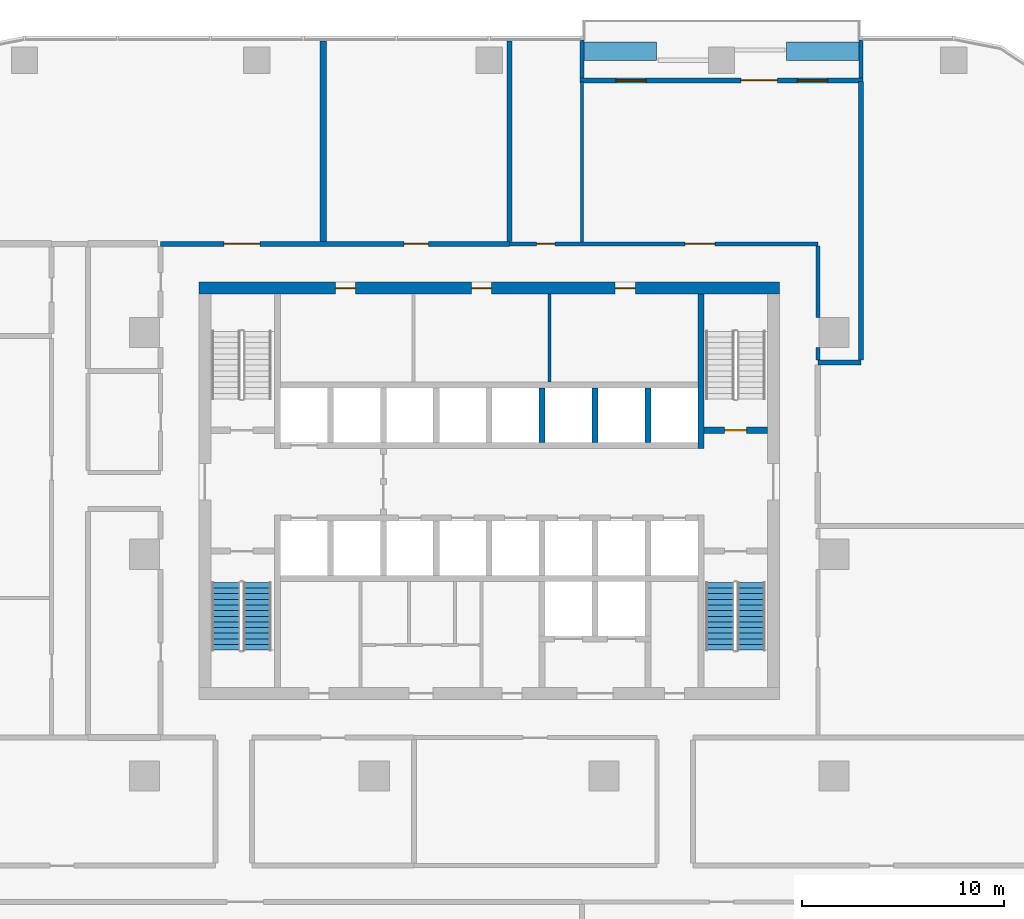
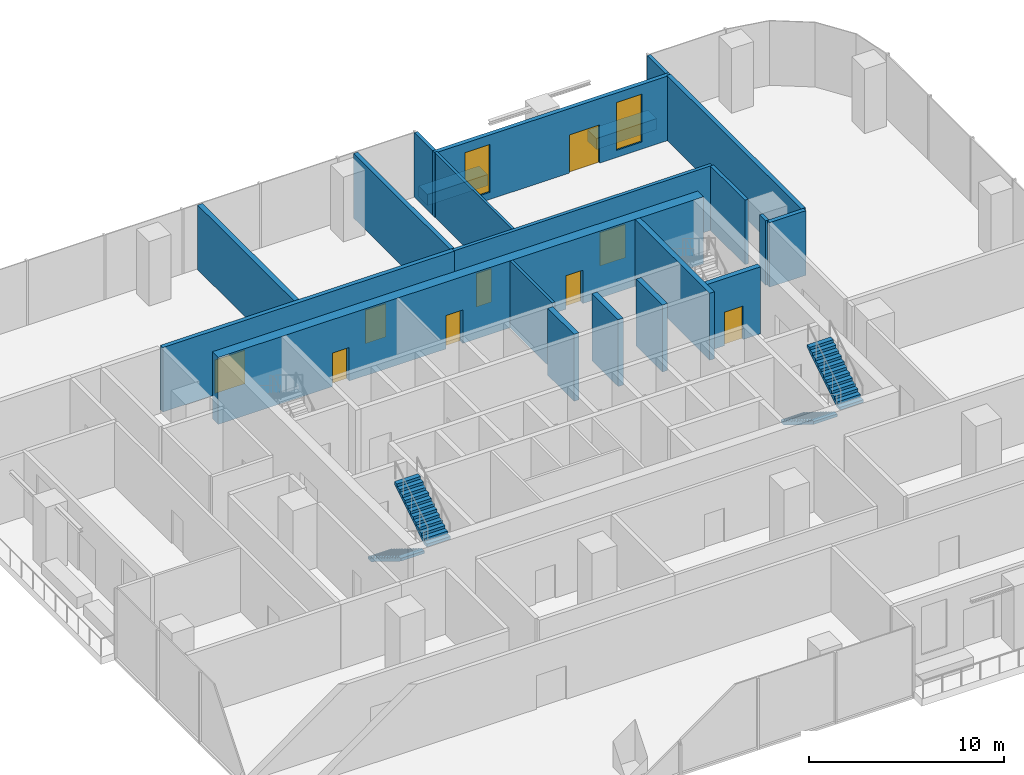
# One storey, part 10 of 15: 21 walls, 9 doors, 4 stair flights, 2 windows, 11 openings, 2 elements without a shape of their own.
"""IFC4 building model written with IfcOpenShell, lengths in metres."""

from ifc_helpers import new_model, si_unit, direction, frame, frame_2d, origin, place, context, subcontext, project, spatial, polyline, rectangle, outline, extrude, material, layer, layer_set, type_object, element, fill, aggregate, save


model = new_model("IFC4")

# Units and contexts
model_context = context("Model", 3, precision=1e-05, world=origin(), true_north=direction((0.0, 1.0)))
body_context = subcontext(model_context, "Body", "Model", "MODEL_VIEW")
ifc_project = project(units=[si_unit("LENGTHUNIT", "METRE"), si_unit("AREAUNIT", "SQUARE_METRE"), si_unit("VOLUMEUNIT", "CUBIC_METRE"), si_unit("PLANEANGLEUNIT", "RADIAN"), si_unit("MASSUNIT", "GRAM", prefix="KILO")], contexts=[model_context])

# Site, building, storey
site_placement = place(None, origin())
site = spatial("IfcSite", under=ifc_project, at=site_placement, CompositionType="ELEMENT")
building_placement = place(site_placement, origin())
building = spatial("IfcBuilding", under=site, at=building_placement, Name="Mopane Tessera Tower", CompositionType="ELEMENT")
storey_placement = place(building_placement, frame((0.0, 0.0, 99.10009765625)))
storey = spatial("IfcBuildingStorey", under=building, at=storey_placement, Name="L19", CompositionType="ELEMENT", Elevation=99.10009765625)

# Wall
ifc_material_1 = material(Name="Fire-rated gypsum board partition")
ifc_layer_1 = layer(ifc_material_1, 0.14990234375)
ifc_layer_set_1 = layer_set([ifc_layer_1], Name="Fire-rated gypsum board partition")
wall_type_1 = type_object("IfcWallType", Name="Core room partition 150 mm", PredefinedType="PARTITIONING", material=ifc_layer_set_1)
wall_1_placement = place(storey_placement, frame((3.0, 8.550048828125, 0.0), z_axis=(0.0, 0.0, 1.0), x_axis=(0.0, 1.0, 0.0)))
element("IfcWall", 1, at=wall_1_placement, inside=storey, type_object=wall_type_1, Name="L19 Room partition", PredefinedType="PARTITIONING", context=body_context, shape_type="SweptSolid", body=[
    extrude(rectangle(XDim=4.349853515625, YDim=0.14990234375, at=frame_2d((2.1748046875, 0.0))), origin(), (0.0, 0.0, 1.0), 4.199951171875),
])

# Wall, openings, doors
ifc_material_2 = material(Name="Concrete C70/85", Category="concrete")
ifc_layer_2 = layer(ifc_material_2, 0.60009765625)
ifc_layer_set_2 = layer_set([ifc_layer_2], Name="Concrete C70/85")
wall_type_2 = type_object("IfcWallType", Name="Core shear wall 600 mm", PredefinedType="SHEAR", material=ifc_layer_set_2)
wall_2_placement = place(storey_placement, frame((-14.39990234375, 13.199951171875, 0.0), z_axis=(0.0, 0.0, 1.0), x_axis=(1.0, 0.0, 0.0)))
wall_2 = element("IfcWall", 2, at=wall_2_placement, inside=storey, type_object=wall_type_2, Name="L19 Core wall north", PredefinedType="SHEAR", context=body_context, shape_type="SweptSolid", body=[
    extrude(rectangle(XDim=28.7998046875, YDim=0.60009765625, at=frame_2d((14.39990234375, 0.0))), origin(), (0.0, 0.0, 1.0), 4.199951171875),
])
opening_1_placement = place(wall_2_placement, frame((6.77490234375, 0.0, 0.0)))
opening_1 = element("IfcOpeningElement", 3, at=opening_1_placement, cuts=wall_2, Name="Opening RD1", PredefinedType="OPENING", context=body_context, shape_type="SweptSolid", body=[
    extrude(rectangle(XDim=1.0, YDim=2.10009765625, at=frame_2d((0.5, 1.050048828125))), frame((0.0, 0.31201171875, 0.0), z_axis=(0.0, -1.0, 0.0), x_axis=(1.0, 0.0, 0.0)), (0.0, 0.0, 1.0), 0.6240234375),
])
opening_2_placement = place(wall_2_placement, frame((13.52490234375, 0.0, 0.0)))
opening_2 = element("IfcOpeningElement", 4, at=opening_2_placement, cuts=wall_2, Name="Opening RD1", PredefinedType="OPENING", context=body_context, shape_type="SweptSolid", body=[
    extrude(rectangle(XDim=1.0, YDim=2.10009765625, at=frame_2d((0.5, 1.050048828125))), frame((0.0, 0.31201171875, 0.0), z_axis=(0.0, -1.0, 0.0), x_axis=(1.0, 0.0, 0.0)), (0.0, 0.0, 1.0), 0.6240234375),
])
opening_3_placement = place(wall_2_placement, frame((20.64990234375, 0.0, 0.0)))
opening_3 = element("IfcOpeningElement", 5, at=opening_3_placement, cuts=wall_2, Name="Opening RD1", PredefinedType="OPENING", context=body_context, shape_type="SweptSolid", body=[
    extrude(rectangle(XDim=1.0, YDim=2.10009765625, at=frame_2d((0.5, 1.050048828125))), frame((0.0, 0.31201171875, 0.0), z_axis=(0.0, -1.0, 0.0), x_axis=(1.0, 0.0, 0.0)), (0.0, 0.0, 1.0), 0.6240234375),
])
ifc_material_3 = material(Name="Timber door", Category="wood")
door_type_1 = type_object("IfcDoorType", Name="Core room door 1000 x 2100", OperationType="SINGLE_SWING_LEFT", PredefinedType="DOOR", material=ifc_material_3)
door_1_placement = place(opening_1_placement, origin())
door_1 = element("IfcDoor", 6, at=door_1_placement, inside=storey, type_object=door_type_1, Name="L19 Room door", OperationType="SINGLE_SWING_LEFT", OverallHeight=2.10009765625, OverallWidth=1.0, PredefinedType="DOOR", context=body_context, shape_type="SweptSolid", body=[
    extrude(rectangle(XDim=1.0, YDim=2.10009765625, at=frame_2d((0.5, 1.050048828125))), frame((0.0, 0.02490234375, 0.0), z_axis=(0.0, -1.0, 0.0), x_axis=(1.0, 0.0, 0.0)), (0.0, 0.0, 1.0), 0.050048828125),
])
fill(opening_1, door_1)
door_2_placement = place(opening_2_placement, origin())
door_2 = element("IfcDoor", 7, at=door_2_placement, inside=storey, type_object=door_type_1, Name="L19 Room door", OperationType="SINGLE_SWING_LEFT", OverallHeight=2.10009765625, OverallWidth=1.0, PredefinedType="DOOR", context=body_context, shape_type="SweptSolid", body=[
    extrude(rectangle(XDim=1.0, YDim=2.10009765625, at=frame_2d((0.5, 1.050048828125))), frame((0.0, 0.02490234375, 0.0), z_axis=(0.0, -1.0, 0.0), x_axis=(1.0, 0.0, 0.0)), (0.0, 0.0, 1.0), 0.050048828125),
])
fill(opening_2, door_2)
door_3_placement = place(opening_3_placement, origin())
door_3 = element("IfcDoor", 8, at=door_3_placement, inside=storey, type_object=door_type_1, Name="L19 Room door", OperationType="SINGLE_SWING_LEFT", OverallHeight=2.10009765625, OverallWidth=1.0, PredefinedType="DOOR", context=body_context, shape_type="SweptSolid", body=[
    extrude(rectangle(XDim=1.0, YDim=2.10009765625, at=frame_2d((0.5, 1.050048828125))), frame((0.0, 0.02490234375, 0.0), z_axis=(0.0, -1.0, 0.0), x_axis=(1.0, 0.0, 0.0)), (0.0, 0.0, 1.0), 0.050048828125),
])
fill(opening_3, door_3)

# Wall
ifc_material_4 = material(Name="Concrete C60/75", Category="concrete")
ifc_layer_3 = layer(ifc_material_4, 0.300048828125)
ifc_layer_set_3 = layer_set([ifc_layer_3], Name="Concrete C60/75")
wall_type_3 = type_object("IfcWallType", Name="Core spine wall 300 mm", PredefinedType="SHEAR", material=ifc_layer_set_3)
wall_3_placement = place(storey_placement, frame((10.5, 5.25, 0.0), z_axis=(0.0, 0.0, 1.0), x_axis=(0.0, 1.0, 0.0)))
element("IfcWall", 9, at=wall_3_placement, inside=storey, type_object=wall_type_3, Name="L19 Core spine wall", PredefinedType="SHEAR", context=body_context, shape_type="SweptSolid", body=[
    extrude(rectangle(XDim=7.64990234375, YDim=0.300048828125, at=frame_2d((3.824951171875, 0.0))), origin(), (0.0, 0.0, 1.0), 4.199951171875),
])

# Wall, openings, doors
ifc_material_5 = material(Name="Gypsum board on steel studs, two layers each face, mineral wool infill", Category="steel")
ifc_layer_4 = layer(ifc_material_5, 0.199951171875)
ifc_layer_set_4 = layer_set([ifc_layer_4], Name="Gypsum board on steel studs, two layers each face, mineral wool infill")
wall_type_4 = type_object("IfcWallType", Name="Gypsum board corridor wall 200, rated EI 60", PredefinedType="PARTITIONING", material=ifc_layer_set_4)
wall_4_placement = place(storey_placement, frame((1.0, 15.39990234375, 0.0), z_axis=(0.0, 0.0, 1.0), x_axis=(1.0, 0.0, 0.0)))
wall_4 = element("IfcWall", 10, at=wall_4_placement, inside=storey, type_object=wall_type_4, Name="Partition L19:019", PredefinedType="PARTITIONING", context=body_context, shape_type="SweptSolid", body=[
    extrude(rectangle(XDim=15.300048828125, YDim=0.199951171875, at=frame_2d((7.64990234375, 0.0))), origin(), (0.0, 0.0, 1.0), 4.0498046875),
])
opening_4_placement = place(wall_4_placement, frame((1.35498046875, 0.0, 0.0)))
opening_4 = element("IfcOpeningElement", 11, at=opening_4_placement, cuts=wall_4, Name="Opening L19-12", PredefinedType="OPENING", context=body_context, shape_type="SweptSolid", body=[
    extrude(rectangle(XDim=0.89990234375, YDim=2.10009765625, at=frame_2d((0.449951171875, 1.050048828125))), frame((0.0, 0.112060546875, 0.0), z_axis=(0.0, -1.0, 0.0), x_axis=(1.0, 0.0, 0.0)), (0.0, 0.0, 1.0), 0.223876953125),
])
opening_5_placement = place(wall_4_placement, frame((8.705078125, 0.0, 0.0)))
opening_5 = element("IfcOpeningElement", 12, at=opening_5_placement, cuts=wall_4, Name="Opening L19-17", PredefinedType="OPENING", context=body_context, shape_type="SweptSolid", body=[
    extrude(rectangle(XDim=1.5, YDim=2.10009765625, at=frame_2d((0.75, 1.050048828125))), frame((0.0, 0.112060546875, 0.0), z_axis=(0.0, -1.0, 0.0), x_axis=(1.0, 0.0, 0.0)), (0.0, 0.0, 1.0), 0.223876953125),
])
ifc_material_6 = material(Name="Timber veneered steel-framed fire door", Category="steel")
door_type_2 = type_object("IfcDoorType", Name="Fire door FD60 900 x 2100", OperationType="SINGLE_SWING_LEFT", PredefinedType="DOOR", material=ifc_material_6)
door_4_placement = place(opening_4_placement, origin())
door_4 = element("IfcDoor", 13, at=door_4_placement, inside=storey, type_object=door_type_2, Name="Door L19-12", ObjectType="D10A", OperationType="SINGLE_SWING_LEFT", OverallHeight=2.10009765625, OverallWidth=0.89990234375, PredefinedType="DOOR", context=body_context, shape_type="SweptSolid", body=[
    extrude(rectangle(XDim=0.89990234375, YDim=2.10009765625, at=frame_2d((0.449951171875, 1.050048828125))), frame((0.0, 0.02490234375, 0.0), z_axis=(0.0, -1.0, 0.0), x_axis=(1.0, 0.0, 0.0)), (0.0, 0.0, 1.0), 0.050048828125),
])
fill(opening_4, door_4)
ifc_material_7 = material(Name="Timber veneered steel-framed fire door", Category="steel")
door_type_3 = type_object("IfcDoorType", Name="Fire door pair FD60 1500 x 2100", OperationType="DOUBLE_DOOR_SINGLE_SWING", PredefinedType="DOOR", material=ifc_material_7)
door_5_placement = place(opening_5_placement, origin())
door_5 = element("IfcDoor", 14, at=door_5_placement, inside=storey, type_object=door_type_3, Name="Door L19-17", ObjectType="D17A", OperationType="DOUBLE_DOOR_SINGLE_SWING", OverallHeight=2.10009765625, OverallWidth=1.5, PredefinedType="DOOR", context=body_context, shape_type="SweptSolid", body=[
    extrude(rectangle(XDim=1.5, YDim=2.10009765625, at=frame_2d((0.75, 1.050048828125))), frame((0.0, 0.02490234375, 0.0), z_axis=(0.0, -1.0, 0.0), x_axis=(1.0, 0.0, 0.0)), (0.0, 0.0, 1.0), 0.050048828125),
])
fill(opening_5, door_5)

# Walls
wall_5_placement = place(storey_placement, frame((16.300048828125, 9.625, 0.0), z_axis=(0.0, 0.0, 1.0), x_axis=(0.0, 1.0, 0.0)))
element("IfcWall", 15, at=wall_5_placement, inside=storey, type_object=wall_type_4, Name="Partition L19:045", PredefinedType="PARTITIONING", context=body_context, shape_type="SweptSolid", body=[
    extrude(rectangle(XDim=0.625, YDim=0.199951171875, at=frame_2d((0.3125, 0.0))), origin(), (0.0, 0.0, 1.0), 4.0498046875),
])
wall_6_placement = place(storey_placement, frame((16.300048828125, 11.75, 0.0), z_axis=(0.0, 0.0, 1.0), x_axis=(0.0, 1.0, 0.0)))
element("IfcWall", 16, at=wall_6_placement, inside=storey, type_object=wall_type_4, Name="Partition L19:046", PredefinedType="PARTITIONING", context=body_context, shape_type="SweptSolid", body=[
    extrude(rectangle(XDim=3.550048828125, YDim=0.199951171875, at=frame_2d((1.77490234375, 0.0))), origin(), (0.0, 0.0, 1.0), 4.0498046875),
])
ifc_material_8 = material(Name="Gypsum board on steel studs, mineral wool infill", Category="steel")
ifc_layer_5 = layer(ifc_material_8, 0.14990234375)
ifc_layer_set_5 = layer_set([ifc_layer_5], Name="Gypsum board on steel studs, mineral wool infill")
wall_type_5 = type_object("IfcWallType", Name="Gypsum board partition 150, rated EI 60", PredefinedType="PARTITIONING", material=ifc_layer_set_5)
wall_7_placement = place(storey_placement, frame((4.610107421875, 15.5, 0.0), z_axis=(0.0, 0.0, 1.0), x_axis=(0.0, 1.0, 0.0)))
element("IfcWall", 17, at=wall_7_placement, inside=storey, type_object=wall_type_5, Name="Partition L19:039", PredefinedType="PARTITIONING", context=body_context, shape_type="SweptSolid", body=[
    extrude(rectangle(XDim=7.949951171875, YDim=0.14990234375, at=frame_2d((3.97509765625, 0.0))), origin(), (0.0, 0.0, 1.0), 4.0498046875),
])

# Wall, opening, door
ifc_material_9 = material(Name="Concrete C50/60", Category="concrete")
ifc_layer_6 = layer(ifc_material_9, 0.300048828125)
ifc_layer_set_6 = layer_set([ifc_layer_6], Name="Concrete C50/60")
wall_type_6 = type_object("IfcWallType", Name="Lift and stair shaft wall 300 mm", PredefinedType="SOLIDWALL", material=ifc_layer_set_6)
wall_8_placement = place(storey_placement, frame((10.64990234375, 6.14990234375, 0.0), z_axis=(0.0, 0.0, 1.0), x_axis=(1.0, 0.0, 0.0)))
wall_8 = element("IfcWall", 18, at=wall_8_placement, inside=storey, type_object=wall_type_6, Name="L19 Stair enclosure wall", PredefinedType="SOLIDWALL", context=body_context, shape_type="SweptSolid", body=[
    extrude(rectangle(XDim=3.150146484375, YDim=0.300048828125, at=frame_2d((1.5751953125, 0.0))), origin(), (0.0, 0.0, 1.0), 4.199951171875),
])
opening_6_placement = place(wall_8_placement, frame((1.02490234375, 0.0, 0.0)))
opening_6 = element("IfcOpeningElement", 19, at=opening_6_placement, cuts=wall_8, Name="Opening SD1", PredefinedType="OPENING", context=body_context, shape_type="SweptSolid", body=[
    extrude(rectangle(XDim=1.10009765625, YDim=2.10009765625, at=frame_2d((0.550048828125, 1.050048828125))), frame((0.0, 0.162109375, 0.0), z_axis=(0.0, -1.0, 0.0), x_axis=(1.0, 0.0, 0.0)), (0.0, 0.0, 1.0), 0.323974609375),
])
ifc_material_10 = material(Name="Steel fire door", Category="steel")
door_type_4 = type_object("IfcDoorType", Name="Stair fire door 1100 x 2100", OperationType="SINGLE_SWING_LEFT", PredefinedType="DOOR", material=ifc_material_10)
door_6_placement = place(opening_6_placement, origin())
door_6 = element("IfcDoor", 20, at=door_6_placement, inside=storey, type_object=door_type_4, Name="L19 Stair door ST4", OperationType="SINGLE_SWING_RIGHT", OverallHeight=2.10009765625, OverallWidth=1.10009765625, PredefinedType="DOOR", context=body_context, shape_type="SweptSolid", body=[
    extrude(rectangle(XDim=1.10009765625, YDim=2.10009765625, at=frame_2d((0.550048828125, 1.050048828125))), frame((0.0, 0.02490234375, 0.0), z_axis=(0.0, -1.0, 0.0), x_axis=(1.0, 0.0, 0.0)), (0.0, 0.0, 1.0), 0.050048828125),
])
fill(opening_6, door_6)

# Walls
for number, where, z_axis, x_axis, name in (
    (21, (2.625, 5.550048828125, 0.0), (0.0, 0.0, 1.0), (0.0, 1.0, 0.0), "L19 Lift shaft wall"),
    (22, (5.25, 5.550048828125, 0.0), (0.0, 0.0, 1.0), (0.0, 1.0, 0.0), "L19 Lift shaft wall"),
    (23, (7.875, 5.550048828125, 0.0), (0.0, 0.0, 1.0), (0.0, 1.0, 0.0), "L19 Lift shaft wall"),
):
    element("IfcWall", number, at=place(storey_placement, frame(where, z_axis=z_axis, x_axis=x_axis)), inside=storey, type_object=wall_type_6, Name=name, PredefinedType="SOLIDWALL", context=body_context, shape_type="SweptSolid", body=[
        extrude(rectangle(XDim=2.699951171875, YDim=0.300048828125, at=frame_2d((1.35009765625, 0.0))), origin(), (0.0, 0.0, 1.0), 4.199951171875),
    ])
ifc_material_11 = material(Name="Reinforced concrete C32/40 with waterproofing", Category="concrete")
ifc_layer_7 = layer(ifc_material_11, 0.89990234375)
ifc_layer_set_7 = layer_set([ifc_layer_7], Name="Reinforced concrete C32/40 with waterproofing")
wall_type_7 = type_object("IfcWallType", Name="Planter trough 3600 x 900", PredefinedType="STANDARD", material=ifc_layer_set_7)
for number, where, z_axis, x_axis, name in (
    (24, (18.340087890625, 24.949951171875, 0.0), (0.0, 0.0, 1.0), (-1.0, 0.0, 0.0), "e:nw:L19:N1:pl0"),
    (25, (8.31005859375, 24.949951171875, 0.0), (0.0, 0.0, 1.0), (-1.0, 0.0, 0.0), "e:nw:L19:N1:pl1"),
):
    element("IfcWall", number, at=place(storey_placement, frame(where, z_axis=z_axis, x_axis=x_axis)), inside=storey, type_object=wall_type_7, Name=name, PredefinedType="STANDARD", context=body_context, shape_type="SweptSolid", body=[
        extrude(rectangle(XDim=3.60009765625, YDim=0.89990234375, at=frame_2d((1.800048828125, 0.0))), origin(), (0.0, 0.0, 1.0), 0.699951171875),
    ])
ifc_material_12 = material(Name="Plastered concrete blockwork C20/25", Category="masonry")
ifc_layer_8 = layer(ifc_material_12, 0.300048828125)
ifc_layer_set_8 = layer_set([ifc_layer_8], Name="Plastered concrete blockwork C20/25")
wall_type_8 = type_object("IfcWallType", Name="Plastered blockwork separation wall 300, rated EI 120", PredefinedType="PARTITIONING", material=ifc_layer_set_8)
wall_9_placement = place(storey_placement, frame((-8.22998046875, 15.52490234375, 0.0), z_axis=(0.0, 0.0, 1.0), x_axis=(0.0, 1.0, 0.0)))
element("IfcWall", 26, at=wall_9_placement, inside=storey, type_object=wall_type_8, Name="Partition L19:036", PredefinedType="PARTITIONING", context=body_context, shape_type="SweptSolid", body=[
    extrude(rectangle(XDim=9.925048828125, YDim=0.300048828125, at=frame_2d((4.96240234375, 0.0))), origin(), (0.0, 0.0, 1.0), 4.0498046875),
])
ifc_material_13 = material(Name="Plastered concrete blockwork C20/25", Category="masonry")
ifc_layer_9 = layer(ifc_material_13, 0.25)
ifc_layer_set_9 = layer_set([ifc_layer_9], Name="Plastered concrete blockwork C20/25")
wall_type_9 = type_object("IfcWallType", Name="Plastered blockwork wall 250, rated EI 120", PredefinedType="PARTITIONING", material=ifc_layer_set_9)
wall_10_placement = place(storey_placement, frame((16.300048828125, 9.5, 0.0), z_axis=(0.0, 0.0, 1.0), x_axis=(1.0, 0.0, 0.0)))
element("IfcWall", 27, at=wall_10_placement, inside=storey, type_object=wall_type_9, Name="Partition L19:017", PredefinedType="PARTITIONING", context=body_context, shape_type="SweptSolid", body=[
    extrude(rectangle(XDim=2.139892578125, YDim=0.25, at=frame_2d((1.06982421875, 0.0))), origin(), (0.0, 0.0, 1.0), 4.0498046875),
])

# Wall, openings, doors
wall_11_placement = place(storey_placement, frame((-16.300048828125, 15.39990234375, 0.0), z_axis=(0.0, 0.0, 1.0), x_axis=(1.0, 0.0, 0.0)))
wall_11 = element("IfcWall", 28, at=wall_11_placement, inside=storey, type_object=wall_type_9, Name="Partition L19:021", PredefinedType="PARTITIONING", context=body_context, shape_type="SweptSolid", body=[
    extrude(rectangle(XDim=17.300048828125, YDim=0.25, at=frame_2d((8.64990234375, 0.0))), origin(), (0.0, 0.0, 1.0), 4.0498046875),
])
opening_7_placement = place(wall_11_placement, frame((12.0849609375, 0.0, 0.0)))
opening_7 = element("IfcOpeningElement", 29, at=opening_7_placement, cuts=wall_11, Name="Opening L19-05", PredefinedType="OPENING", context=body_context, shape_type="SweptSolid", body=[
    extrude(rectangle(XDim=1.199951171875, YDim=2.10009765625, at=frame_2d((0.60009765625, 1.050048828125))), frame((0.0, 0.136962890625, 0.0), z_axis=(0.0, -1.0, 0.0), x_axis=(1.0, 0.0, 0.0)), (0.0, 0.0, 1.0), 0.27392578125),
])
opening_8_placement = place(wall_11_placement, frame((3.135009765625, 0.0, 0.0)))
opening_8 = element("IfcOpeningElement", 30, at=opening_8_placement, cuts=wall_11, Name="Opening L19-10", PredefinedType="OPENING", context=body_context, shape_type="SweptSolid", body=[
    extrude(rectangle(XDim=1.800048828125, YDim=2.10009765625, at=frame_2d((0.89990234375, 1.050048828125))), frame((0.0, 0.136962890625, 0.0), z_axis=(0.0, -1.0, 0.0), x_axis=(1.0, 0.0, 0.0)), (0.0, 0.0, 1.0), 0.27392578125),
])
ifc_material_14 = material(Name="Timber veneered steel-framed fire door", Category="steel")
door_type_5 = type_object("IfcDoorType", Name="Fire door FD120 1200 x 2100", OperationType="SINGLE_SWING_LEFT", PredefinedType="DOOR", material=ifc_material_14)
door_7_placement = place(opening_7_placement, origin())
door_7 = element("IfcDoor", 31, at=door_7_placement, inside=storey, type_object=door_type_5, Name="Door L19-05", ObjectType="D15B", OperationType="SINGLE_SWING_LEFT", OverallHeight=2.10009765625, OverallWidth=1.199951171875, PredefinedType="DOOR", context=body_context, shape_type="SweptSolid", body=[
    extrude(rectangle(XDim=1.199951171875, YDim=2.10009765625, at=frame_2d((0.60009765625, 1.050048828125))), frame((0.0, 0.02490234375, 0.0), z_axis=(0.0, -1.0, 0.0), x_axis=(1.0, 0.0, 0.0)), (0.0, 0.0, 1.0), 0.050048828125),
])
fill(opening_7, door_7)
ifc_material_15 = material(Name="Timber veneered steel-framed fire door", Category="steel")
door_type_6 = type_object("IfcDoorType", Name="Fire door pair FD120 1800 x 2100", OperationType="DOUBLE_DOOR_SINGLE_SWING", PredefinedType="DOOR", material=ifc_material_15)
door_8_placement = place(opening_8_placement, origin())
door_8 = element("IfcDoor", 32, at=door_8_placement, inside=storey, type_object=door_type_6, Name="Door L19-10", ObjectType="D20B", OperationType="DOUBLE_DOOR_SINGLE_SWING", OverallHeight=2.10009765625, OverallWidth=1.800048828125, PredefinedType="DOOR", context=body_context, shape_type="SweptSolid", body=[
    extrude(rectangle(XDim=1.800048828125, YDim=2.10009765625, at=frame_2d((0.89990234375, 1.050048828125))), frame((0.0, 0.02490234375, 0.0), z_axis=(0.0, -1.0, 0.0), x_axis=(1.0, 0.0, 0.0)), (0.0, 0.0, 1.0), 0.050048828125),
])
fill(opening_8, door_8)

# Walls
wall_12_placement = place(storey_placement, frame((1.0, 15.52490234375, 0.0), z_axis=(0.0, 0.0, 1.0), x_axis=(0.0, 1.0, 0.0)))
element("IfcWall", 33, at=wall_12_placement, inside=storey, type_object=wall_type_9, Name="Partition L19:038", PredefinedType="PARTITIONING", context=body_context, shape_type="SweptSolid", body=[
    extrude(rectangle(XDim=9.925048828125, YDim=0.25, at=frame_2d((4.96240234375, 0.0))), origin(), (0.0, 0.0, 1.0), 4.0498046875),
])
wall_13_placement = place(storey_placement, frame((18.43994140625, 9.625, 0.0), z_axis=(0.0, 0.0, 1.0), x_axis=(0.0, 1.0, 0.0)))
element("IfcWall", 34, at=wall_13_placement, inside=storey, type_object=wall_type_9, Name="Partition L19:049", PredefinedType="PARTITIONING", context=body_context, shape_type="SweptSolid", body=[
    extrude(rectangle(XDim=13.824951171875, YDim=0.25, at=frame_2d((6.91259765625, 0.0))), origin(), (0.0, 0.0, 1.0), 4.0498046875),
])
ifc_material_16 = material(Name="Blockwork with glazed tile facing", Category="masonry")
ifc_layer_10 = layer(ifc_material_16, 0.199951171875)
ifc_layer_set_10 = layer_set([ifc_layer_10], Name="Blockwork with glazed tile facing")
wall_type_10 = type_object("IfcWallType", Name="Terrace cheek wall 200", PredefinedType="STANDARD", material=ifc_layer_set_10)
for number, where, z_axis, x_axis, name in (
    (35, (18.43994140625, 25.5, 0.0), (0.0, 0.0, 1.0), (0.0, -1.0, 0.0), "e:nw:L19:N1:cheeka"),
    (36, (4.610107421875, 25.5, 0.0), (0.0, 0.0, 1.0), (0.0, -1.0, 0.0), "e:nw:L19:N1:cheekb"),
):
    element("IfcWall", number, at=place(storey_placement, frame(where, z_axis=z_axis, x_axis=x_axis)), inside=storey, type_object=wall_type_10, Name=name, PredefinedType="STANDARD", context=body_context, shape_type="SweptSolid", body=[
        extrude(rectangle(XDim=1.875, YDim=0.199951171875, at=frame_2d((0.9375, 0.0))), origin(), (0.0, 0.0, 1.0), 4.0498046875),
    ])

# Wall, openings, windows, door
ifc_material_17 = material(Name="Blockwork with turquoise glazed tile facing", Category="masonry")
ifc_layer_11 = layer(ifc_material_17, 0.25)
ifc_layer_set_11 = layer_set([ifc_layer_11], Name="Blockwork with turquoise glazed tile facing")
wall_type_11 = type_object("IfcWallType", Name="Tile-clad external wall 250, turquoise", PredefinedType="STANDARD", material=ifc_layer_set_11)
wall_14_placement = place(storey_placement, frame((18.5400390625, 23.5, 0.0), z_axis=(0.0, 0.0, 1.0), x_axis=(-1.0, 0.0, 0.0)))
wall_14 = element("IfcWall", 37, at=wall_14_placement, inside=storey, type_object=wall_type_11, Name="e:nw:L19:N1:back", PredefinedType="STANDARD", context=body_context, shape_type="SweptSolid", body=[
    extrude(rectangle(XDim=14.030029296875, YDim=0.25, at=frame_2d((7.01513671875, 0.0))), origin(), (0.0, 0.0, 1.0), 4.0498046875),
])
opening_9_placement = place(wall_14_placement, frame((1.75, 0.0, 0.449951171875)))
opening_9 = element("IfcOpeningElement", 38, at=opening_9_placement, cuts=wall_14, Name="Opening NW191A", PredefinedType="OPENING", context=body_context, shape_type="SweptSolid", body=[
    extrude(rectangle(XDim=1.5, YDim=3.0, at=frame_2d((0.75, 1.5))), frame((0.0, 0.136962890625, 0.0), z_axis=(0.0, -1.0, 0.0), x_axis=(1.0, 0.0, 0.0)), (0.0, 0.0, 1.0), 0.27392578125),
])
opening_10_placement = place(wall_14_placement, frame((4.25, 0.0, 0.0)))
opening_10 = element("IfcOpeningElement", 39, at=opening_10_placement, cuts=wall_14, Name="Opening ND191", PredefinedType="OPENING", context=body_context, shape_type="SweptSolid", body=[
    extrude(rectangle(XDim=1.800048828125, YDim=2.39990234375, at=frame_2d((0.89990234375, 1.199951171875))), frame((0.0, 0.136962890625, 0.0), z_axis=(0.0, -1.0, 0.0), x_axis=(1.0, 0.0, 0.0)), (0.0, 0.0, 1.0), 0.27392578125),
])
opening_11_placement = place(wall_14_placement, frame((10.75, 0.0, 0.449951171875)))
opening_11 = element("IfcOpeningElement", 40, at=opening_11_placement, cuts=wall_14, Name="Opening NW191B", PredefinedType="OPENING", context=body_context, shape_type="SweptSolid", body=[
    extrude(rectangle(XDim=1.5, YDim=3.0, at=frame_2d((0.75, 1.5))), frame((0.0, 0.136962890625, 0.0), z_axis=(0.0, -1.0, 0.0), x_axis=(1.0, 0.0, 0.0)), (0.0, 0.0, 1.0), 0.27392578125),
])
ifc_material_18 = material(Name="Clear laminated glass", Category="glass")
window_type = type_object("IfcWindowType", Name="Fixed window 1500 x 3000", PartitioningType="SINGLE_PANEL", PredefinedType="WINDOW", material=ifc_material_18)
window_1_placement = place(opening_9_placement, origin())
window_1 = element("IfcWindow", 41, at=window_1_placement, inside=storey, type_object=window_type, Name="e:nw:L19:N1:win0", OverallHeight=3.0, OverallWidth=1.5, PartitioningType="SINGLE_PANEL", PredefinedType="WINDOW", context=body_context, shape_type="SweptSolid", body=[
    extrude(rectangle(XDim=1.5, YDim=3.0, at=frame_2d((0.75, 1.5))), frame((0.0, 0.030029296875, 0.0), z_axis=(0.0, -1.0, 0.0), x_axis=(1.0, 0.0, 0.0)), (0.0, 0.0, 1.0), 0.06005859375),
])
fill(opening_9, window_1)
window_2_placement = place(opening_11_placement, origin())
window_2 = element("IfcWindow", 42, at=window_2_placement, inside=storey, type_object=window_type, Name="e:nw:L19:N1:win2", OverallHeight=3.0, OverallWidth=1.5, PartitioningType="SINGLE_PANEL", PredefinedType="WINDOW", context=body_context, shape_type="SweptSolid", body=[
    extrude(rectangle(XDim=1.5, YDim=3.0, at=frame_2d((0.75, 1.5))), frame((0.0, 0.030029296875, 0.0), z_axis=(0.0, -1.0, 0.0), x_axis=(1.0, 0.0, 0.0)), (0.0, 0.0, 1.0), 0.06005859375),
])
fill(opening_11, window_2)
ifc_material_19 = material(Name="Aluminium and clear glass", Category="aluminium")
door_type_7 = type_object("IfcDoorType", Name="Terrace double door 1800 x 2400", OperationType="DOUBLE_DOOR_SINGLE_SWING", PredefinedType="DOOR", material=ifc_material_19)
door_9_placement = place(opening_10_placement, origin())
door_9 = element("IfcDoor", 43, at=door_9_placement, inside=storey, type_object=door_type_7, Name="e:nw:L19:N1:door", ObjectType="D1", OperationType="DOUBLE_DOOR_SINGLE_SWING", OverallHeight=2.39990234375, OverallWidth=1.800048828125, PredefinedType="DOOR", context=body_context, shape_type="SweptSolid", body=[
    extrude(rectangle(XDim=1.800048828125, YDim=2.39990234375, at=frame_2d((0.89990234375, 1.199951171875))), frame((0.0, 0.02490234375, 0.0), z_axis=(0.0, -1.0, 0.0), x_axis=(1.0, 0.0, 0.0)), (0.0, 0.0, 1.0), 0.050048828125),
])
fill(opening_10, door_9)

# Stair, stair flights
ifc_material_20 = material(Name="Concrete C50/60", Category="concrete")
stair_type = type_object("IfcStairType", Name="Escape stair 1400 mm, riser 173 mm", PredefinedType="HALF_TURN_STAIR", material=ifc_material_20)
stair_1_placement = place(storey_placement, origin())
stair_1 = element("IfcStair", 44, at=stair_1_placement, inside=storey, type_object=stair_type, Name="L19 Escape stair south-west", PredefinedType="HALF_TURN_STAIR")
ifc_material_21 = material(Name="Concrete C50/60", Category="concrete")
stair_flight_type = type_object("IfcStairFlightType", Name="Escape stair flight 1400 mm", PredefinedType="STRAIGHT", material=ifc_material_21)
stair_flight_1_placement = place(storey_placement, frame((-13.050048828125, -1.39990234375, 0.0), z_axis=(0.0, 0.0, 1.0), x_axis=(0.0, -1.0, 0.0)))
stair_flight_1 = element("IfcStairFlight", 45, at=stair_flight_1_placement, type_object=stair_flight_type, Name="ST1 flight 1", NumberOfRisers=13, NumberOfTreads=12, PredefinedType="STRAIGHT", RiserHeight=0.173076923, TreadLength=0.28, context=body_context, shape_type="SweptSolid", body=[
    extrude(outline(polyline([(0.0, 0.0), (0.0, 0.173095703125), (0.280029296875, 0.173095703125), (0.280029296875, 0.34619140625), (0.56005859375, 0.34619140625), (0.56005859375, 0.519287109375), (0.840087890625, 0.519287109375), (0.840087890625, 0.6923828125), (1.1201171875, 0.6923828125), (1.1201171875, 0.865478515625), (1.39990234375, 0.865478515625), (1.39990234375, 1.03857421875), (1.679931640625, 1.03857421875), (1.679931640625, 1.21142578125), (1.9599609375, 1.21142578125), (1.9599609375, 1.384521484375), (2.239990234375, 1.384521484375), (2.239990234375, 1.5576171875), (2.52001953125, 1.5576171875), (2.52001953125, 1.730712890625), (2.800048828125, 1.730712890625), (2.800048828125, 1.90380859375), (3.080078125, 1.90380859375), (3.080078125, 2.076904296875), (3.360107421875, 2.076904296875), (3.360107421875, 2.25), (3.360107421875, 1.900634765625), (0.28515625, 0.0), (0.0, 0.0)])), frame((0.0, 0.699951171875, 0.0), z_axis=(0.0, -1.0, 0.0), x_axis=(1.0, 0.0, 0.0)), (0.0, 0.0, 1.0), 1.39990234375),
])
stair_flight_2_placement = place(storey_placement, frame((-11.5, -4.760009765625, 2.25), z_axis=(0.0, 0.0, 1.0), x_axis=(0.0, 1.0, 0.0)))
stair_flight_2 = element("IfcStairFlight", 46, at=stair_flight_2_placement, type_object=stair_flight_type, Name="ST1 flight 2", NumberOfRisers=13, NumberOfTreads=12, PredefinedType="STRAIGHT", RiserHeight=0.173076923, TreadLength=0.28, context=body_context, shape_type="SweptSolid", body=[
    extrude(outline(polyline([(0.0, 0.0), (0.0, 0.173095703125), (0.280029296875, 0.173095703125), (0.280029296875, 0.34619140625), (0.56005859375, 0.34619140625), (0.56005859375, 0.519287109375), (0.840087890625, 0.519287109375), (0.840087890625, 0.6923828125), (1.1201171875, 0.6923828125), (1.1201171875, 0.865478515625), (1.39990234375, 0.865478515625), (1.39990234375, 1.03857421875), (1.679931640625, 1.03857421875), (1.679931640625, 1.21142578125), (1.9599609375, 1.21142578125), (1.9599609375, 1.384521484375), (2.239990234375, 1.384521484375), (2.239990234375, 1.5576171875), (2.52001953125, 1.5576171875), (2.52001953125, 1.730712890625), (2.800048828125, 1.730712890625), (2.800048828125, 1.90380859375), (3.080078125, 1.90380859375), (3.080078125, 2.076904296875), (3.360107421875, 2.076904296875), (3.360107421875, 2.25), (3.360107421875, 1.900634765625), (0.28515625, 0.0), (0.0, 0.0)])), frame((0.0, 0.699951171875, 0.0), z_axis=(0.0, -1.0, 0.0), x_axis=(1.0, 0.0, 0.0)), (0.0, 0.0, 1.0), 1.39990234375),
])
aggregate(stair_1, [stair_flight_1, stair_flight_2])

stair_2_placement = place(storey_placement, origin())
stair_2 = element("IfcStair", 47, at=stair_2_placement, inside=storey, type_object=stair_type, Name="L19 Escape stair south-east", PredefinedType="HALF_TURN_STAIR")
stair_flight_3_placement = place(storey_placement, frame((11.449951171875, -1.39990234375, 0.0), z_axis=(0.0, 0.0, 1.0), x_axis=(0.0, -1.0, 0.0)))
stair_flight_3 = element("IfcStairFlight", 48, at=stair_flight_3_placement, type_object=stair_flight_type, Name="ST3 flight 1", NumberOfRisers=13, NumberOfTreads=12, PredefinedType="STRAIGHT", RiserHeight=0.173076923, TreadLength=0.28, context=body_context, shape_type="SweptSolid", body=[
    extrude(outline(polyline([(0.0, 0.0), (0.0, 0.173095703125), (0.280029296875, 0.173095703125), (0.280029296875, 0.34619140625), (0.56005859375, 0.34619140625), (0.56005859375, 0.519287109375), (0.840087890625, 0.519287109375), (0.840087890625, 0.6923828125), (1.1201171875, 0.6923828125), (1.1201171875, 0.865478515625), (1.39990234375, 0.865478515625), (1.39990234375, 1.03857421875), (1.679931640625, 1.03857421875), (1.679931640625, 1.21142578125), (1.9599609375, 1.21142578125), (1.9599609375, 1.384521484375), (2.239990234375, 1.384521484375), (2.239990234375, 1.5576171875), (2.52001953125, 1.5576171875), (2.52001953125, 1.730712890625), (2.800048828125, 1.730712890625), (2.800048828125, 1.90380859375), (3.080078125, 1.90380859375), (3.080078125, 2.076904296875), (3.360107421875, 2.076904296875), (3.360107421875, 2.25), (3.360107421875, 1.900634765625), (0.28515625, 0.0), (0.0, 0.0)])), frame((0.0, 0.699951171875, 0.0), z_axis=(0.0, -1.0, 0.0), x_axis=(1.0, 0.0, 0.0)), (0.0, 0.0, 1.0), 1.39990234375),
])
stair_flight_4_placement = place(storey_placement, frame((13.0, -4.760009765625, 2.25), z_axis=(0.0, 0.0, 1.0), x_axis=(0.0, 1.0, 0.0)))
stair_flight_4 = element("IfcStairFlight", 49, at=stair_flight_4_placement, type_object=stair_flight_type, Name="ST3 flight 2", NumberOfRisers=13, NumberOfTreads=12, PredefinedType="STRAIGHT", RiserHeight=0.173076923, TreadLength=0.28, context=body_context, shape_type="SweptSolid", body=[
    extrude(outline(polyline([(0.0, 0.0), (0.0, 0.173095703125), (0.280029296875, 0.173095703125), (0.280029296875, 0.34619140625), (0.56005859375, 0.34619140625), (0.56005859375, 0.519287109375), (0.840087890625, 0.519287109375), (0.840087890625, 0.6923828125), (1.1201171875, 0.6923828125), (1.1201171875, 0.865478515625), (1.39990234375, 0.865478515625), (1.39990234375, 1.03857421875), (1.679931640625, 1.03857421875), (1.679931640625, 1.21142578125), (1.9599609375, 1.21142578125), (1.9599609375, 1.384521484375), (2.239990234375, 1.384521484375), (2.239990234375, 1.5576171875), (2.52001953125, 1.5576171875), (2.52001953125, 1.730712890625), (2.800048828125, 1.730712890625), (2.800048828125, 1.90380859375), (3.080078125, 1.90380859375), (3.080078125, 2.076904296875), (3.360107421875, 2.076904296875), (3.360107421875, 2.25), (3.360107421875, 1.900634765625), (0.28515625, 0.0), (0.0, 0.0)])), frame((0.0, 0.699951171875, 0.0), z_axis=(0.0, -1.0, 0.0), x_axis=(1.0, 0.0, 0.0)), (0.0, 0.0, 1.0), 1.39990234375),
])
aggregate(stair_2, [stair_flight_3, stair_flight_4])

save(model, "model.ifc")
